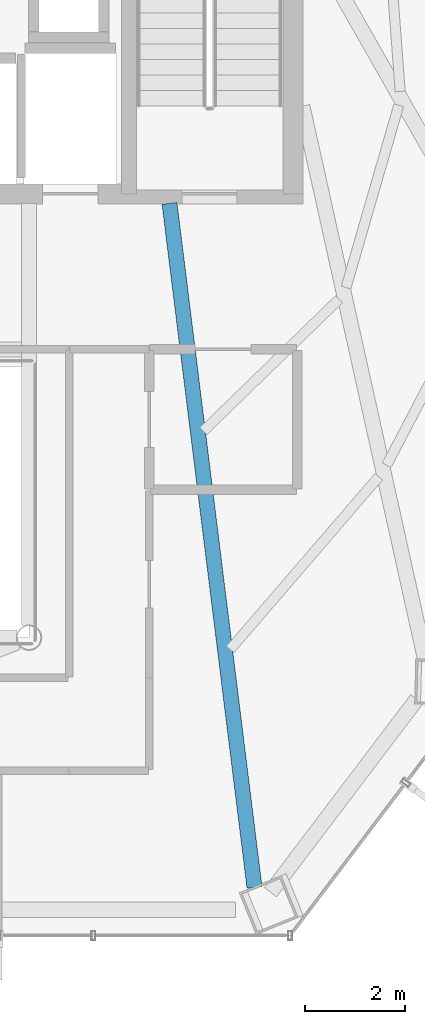
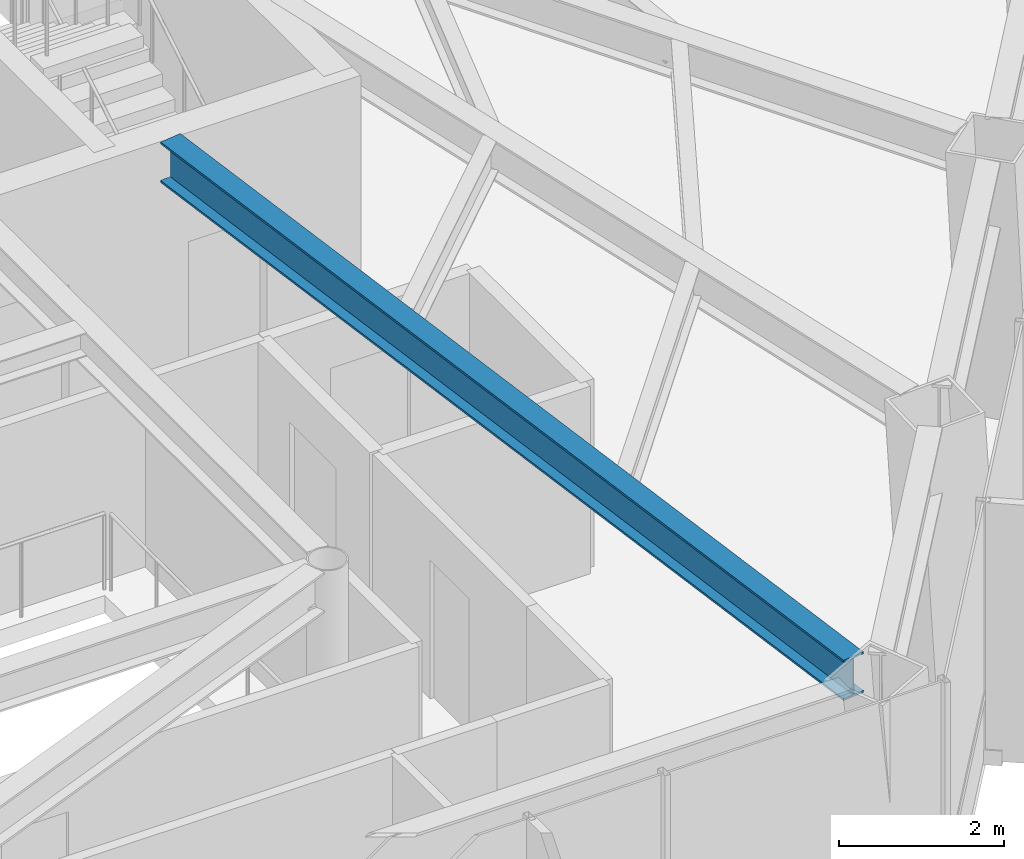
# One storey, part 9 of 26: 1 beam.
"""IFC4 building model written with IfcOpenShell, lengths in metres."""

from ifc_helpers import new_model, si_unit, direction, frame, origin, origin_2d, place, context, subcontext, project, spatial, i_section, extrude, material, material_profile, profile_set, type_object, element, save


model = new_model("IFC4")

# Units and contexts
model_context = context("Model", 3, precision=1e-05, world=origin(), true_north=direction((0.0, 1.0)))
body_context = subcontext(model_context, "Body", "Model", "MODEL_VIEW")
ifc_project = project(units=[si_unit("LENGTHUNIT", "METRE"), si_unit("AREAUNIT", "SQUARE_METRE"), si_unit("VOLUMEUNIT", "CUBIC_METRE"), si_unit("PLANEANGLEUNIT", "RADIAN"), si_unit("MASSUNIT", "GRAM", prefix="KILO")], contexts=[model_context])

# Site, building, storey
site_placement = place(None, origin())
site = spatial("IfcSite", under=ifc_project, at=site_placement, CompositionType="ELEMENT")
building_placement = place(site_placement, origin())
building = spatial("IfcBuilding", under=site, at=building_placement, Name="Zarrinselat Tower", CompositionType="ELEMENT")
storey_placement = place(building_placement, frame((0.0, 0.0, 92.820068359375)))
storey = spatial("IfcBuildingStorey", under=building, at=storey_placement, Name="L22", CompositionType="ELEMENT", Elevation=92.820068359375)

# Beam
ifc_material = material(Name="Steel S355J2", Category="steel")
ifc_material_profile = material_profile(ifc_material, i_section(OverallWidth=0.300048828125, OverallDepth=0.60009765625, WebThickness=0.015380859375, FlangeThickness=0.030029296875, at=origin_2d()), Name="HEB 600")
ifc_profile_set = profile_set([ifc_material_profile], Name="Steel S355J2")
beam_type = type_object("IfcBeamType", Name="BM-HEB600", PredefinedType="BEAM", material=ifc_profile_set)
beam_placement = place(storey_placement, frame((45.800048828125, 33.06005859375, 3.52001953125), z_axis=(0.12335899827, -0.992362110092, 0.0), x_axis=(0.992362110092, 0.12335899827, 0.0)))
element("IfcBeam", 1, at=beam_placement, inside=storey, type_object=beam_type, Name="L22 Radial Primary Girder RG11", PredefinedType="BEAM", context=body_context, shape_type="SweptSolid", body=[
    extrude(i_section(OverallWidth=0.300048828125, OverallDepth=0.60009765625, WebThickness=0.015380859375, FlangeThickness=0.030029296875, at=origin_2d()), origin(), (0.0, 0.0, 1.0), 13.740966796875),
])

save(model, "model.ifc")
